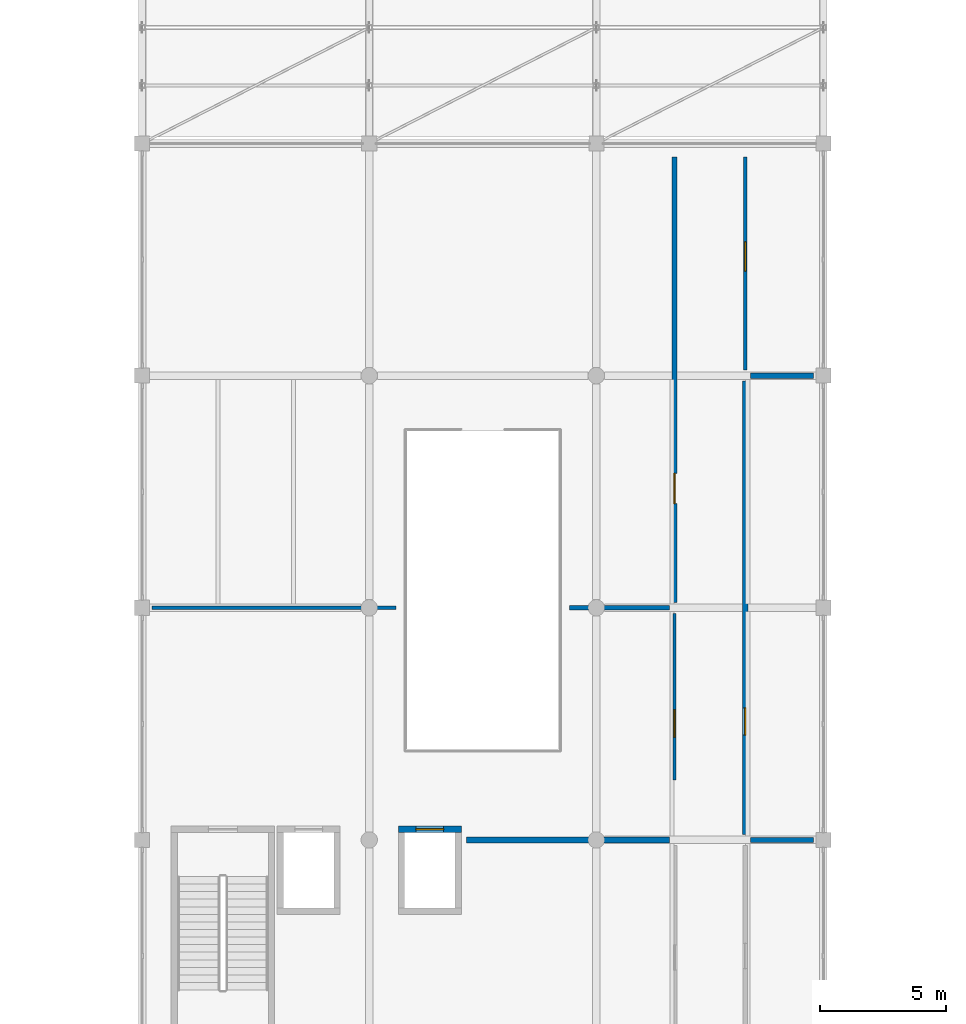
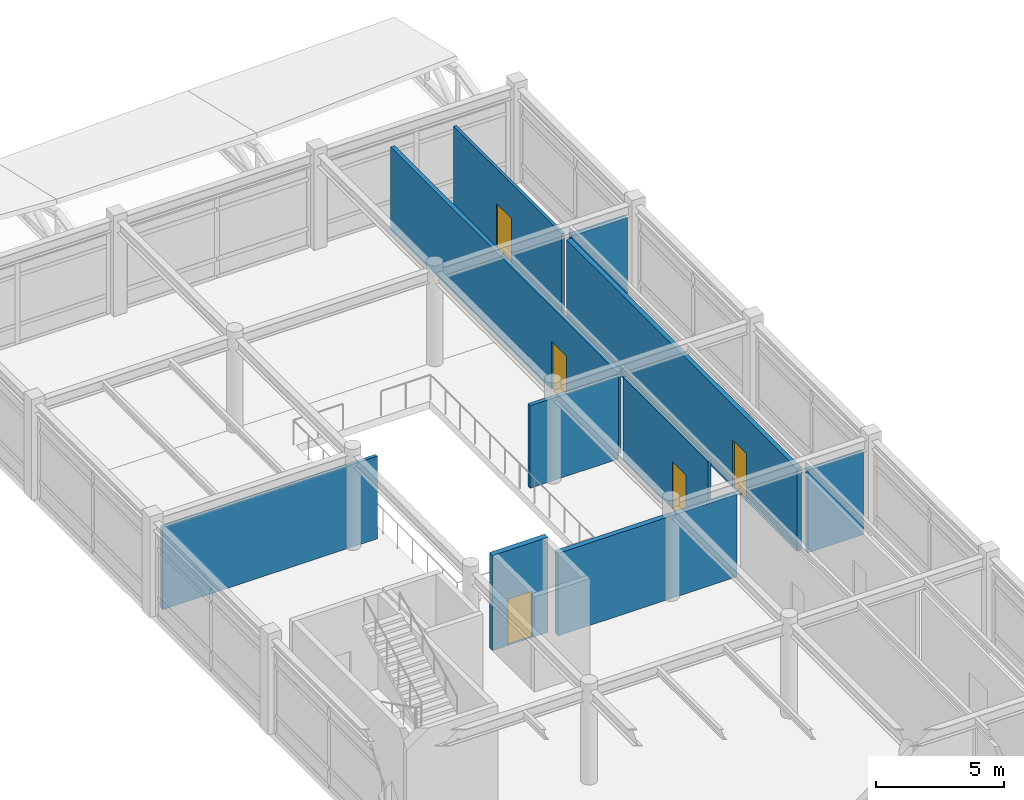
# One storey, part 48 of 61: 10 walls, 5 doors, 5 openings.
"""IFC4 building model written with IfcOpenShell, lengths in metres."""

from ifc_helpers import new_model, si_unit, direction, frame, frame_2d, origin, place, context, subcontext, project, spatial, rectangle, extrude, material, layer, layer_set, type_object, element, fill, save


model = new_model("IFC4")

# Units and contexts
model_context = context("Model", 3, precision=1e-05, world=origin(), true_north=direction((0.0, 1.0)))
body_context = subcontext(model_context, "Body", "Model", "MODEL_VIEW")
ifc_project = project(units=[si_unit("LENGTHUNIT", "METRE"), si_unit("AREAUNIT", "SQUARE_METRE"), si_unit("VOLUMEUNIT", "CUBIC_METRE"), si_unit("PLANEANGLEUNIT", "RADIAN"), si_unit("MASSUNIT", "GRAM", prefix="KILO")], contexts=[model_context])

# Site, building, storey
site_placement = place(None, origin())
site = spatial("IfcSite", under=ifc_project, at=site_placement, CompositionType="ELEMENT")
building_placement = place(site_placement, origin())
building = spatial("IfcBuilding", under=site, at=building_placement, Name="Bozkorgan Art Gallery", CompositionType="ELEMENT")
storey_placement = place(building_placement, frame((0.0, 0.0, 10.199951171875)))
storey = spatial("IfcBuildingStorey", under=building, at=storey_placement, Name="L02", CompositionType="ELEMENT", Elevation=10.199951171875)

# Wall, opening, door
ifc_material_1 = material(Name="Concrete C40/50", Category="concrete")
ifc_layer_1 = layer(ifc_material_1, 0.25, Name="Concrete C40/50")
ifc_layer_set_1 = layer_set([ifc_layer_1], Name="Concrete C40/50")
wall_type_1 = type_object("IfcWallType", Name="IWALL-CW-51", PredefinedType="SHEAR", material=ifc_layer_set_1)
wall_1_placement = place(storey_placement, frame((84.14990234375, 66.425048828125, 0.0), z_axis=(0.0, 0.0, 1.0), x_axis=(1.0, 0.0, 0.0)))
wall_1 = element("IfcWall", 1, at=wall_1_placement, inside=storey, type_object=wall_type_1, Name="PL3 L02 shaft front shear wall", PredefinedType="SHEAR", context=body_context, shape_type="SweptSolid", body=[
    extrude(rectangle(XDim=2.5, YDim=0.25, at=frame_2d((1.25, 0.0))), origin(), (0.0, 0.0, 1.0), 4.52001953125),
])
opening_1_placement = place(wall_1_placement, frame((0.699951171875, 0.0, 0.0)))
opening_1 = element("IfcOpeningElement", 2, at=opening_1_placement, cuts=wall_1, Name="Opening LD-75", PredefinedType="OPENING", context=body_context, shape_type="SweptSolid", body=[
    extrude(rectangle(XDim=1.10009765625, YDim=2.199951171875, at=frame_2d((0.550048828125, 1.10009765625))), frame((0.0, 0.135009765625, 0.0), z_axis=(0.0, -1.0, 0.0), x_axis=(1.0, 0.0, 0.0)), (0.0, 0.0, 1.0), 0.27001953125),
])
ifc_material_2 = material(Name="Steel S355J2", Category="steel")
door_type_1 = type_object("IfcDoorType", Name="IDOOR-LD-75", OperationType="NOTDEFINED", PredefinedType="DOOR", material=ifc_material_2)
door_1_placement = place(opening_1_placement, origin())
door_1 = element("IfcDoor", 3, at=door_1_placement, inside=storey, type_object=door_type_1, Name="LD-PL3-L02 Lift Landing Door", OperationType="SLIDING_TO_RIGHT", OverallHeight=2.199951171875, OverallWidth=1.10009765625, PredefinedType="DOOR", context=body_context, shape_type="SweptSolid", body=[
    extrude(rectangle(XDim=1.10009765625, YDim=2.199951171875, at=frame_2d((0.550048828125, 1.10009765625))), frame((0.0, 0.02490234375, 0.0), z_axis=(0.0, -1.0, 0.0), x_axis=(1.0, 0.0, 0.0)), (0.0, 0.0, 1.0), 0.050048828125),
])
fill(opening_1, door_1)

ifc_material_3 = material(Name="Acoustic Gypsum & Mineral Wool Partition")
ifc_layer_2 = layer(ifc_material_3, 0.2099609375, Name="Acoustic Gypsum & Mineral Wool Partition")
ifc_layer_set_2 = layer_set([ifc_layer_2], Name="Acoustic Gypsum & Mineral Wool Partition")
wall_type_2 = type_object("IfcWallType", Name="IWALL-PR-38", PredefinedType="PARTITIONING", material=ifc_layer_set_2)
wall_2_placement = place(storey_placement, frame((97.89990234375, 66.219970703125, 0.0), z_axis=(0.0, 0.0, 1.0), x_axis=(0.0, 1.0, 0.0)))
wall_2 = element("IfcWall", 4, at=wall_2_placement, inside=storey, type_object=wall_type_2, Name="V4 L02 acoustic partition wall 244", PredefinedType="PARTITIONING", context=body_context, shape_type="SweptSolid", body=[
    extrude(rectangle(XDim=17.9599609375, YDim=0.2099609375, at=frame_2d((8.97998046875, 0.0))), origin(), (0.0, 0.0, 1.0), 3.925048828125),
])
opening_2_placement = place(wall_2_placement, frame((3.935546875, 0.0, 0.0)))
opening_2 = element("IfcOpeningElement", 5, at=opening_2_placement, cuts=wall_2, Name="Opening FD-44", PredefinedType="OPENING", context=body_context, shape_type="SweptSolid", body=[
    extrude(rectangle(XDim=1.080078125, YDim=2.239990234375, at=frame_2d((0.5400390625, 1.1201171875))), frame((0.0, 0.114990234375, 0.0), z_axis=(0.0, -1.0, 0.0), x_axis=(1.0, 0.0, 0.0)), (0.0, 0.0, 1.0), 0.22998046875),
])
ifc_material_4 = material(Name="Oiled European Oak Joinery")
door_type_2 = type_object("IfcDoorType", Name="IDOOR-FD-44", OperationType="NOTDEFINED", PredefinedType="DOOR", material=ifc_material_4)
door_2_placement = place(opening_2_placement, origin())
door_2 = element("IfcDoor", 6, at=door_2_placement, inside=storey, type_object=door_type_2, Name="Patron Members' Lounge Door", OperationType="SINGLE_SWING_RIGHT", OverallHeight=2.239990234375, OverallWidth=1.080078125, PredefinedType="DOOR", context=body_context, shape_type="SweptSolid", body=[
    extrude(rectangle(XDim=1.080078125, YDim=2.239990234375, at=frame_2d((0.5400390625, 1.1201171875))), frame((0.0, 0.02490234375, 0.0), z_axis=(0.0, -1.0, 0.0), x_axis=(1.0, 0.0, 0.0)), (0.0, 0.0, 1.0), 0.050048828125),
])
fill(opening_2, door_2)

ifc_layer_3 = layer(ifc_material_3, 0.18994140625, Name="Acoustic Gypsum & Mineral Wool Partition")
ifc_layer_set_3 = layer_set([ifc_layer_3], Name="Acoustic Gypsum & Mineral Wool Partition")
wall_type_3 = type_object("IfcWallType", Name="IWALL-PR-66", PredefinedType="PARTITIONING", material=ifc_layer_set_3)
wall_3_placement = place(storey_placement, frame((95.10009765625, 75.419921875, 0.0), z_axis=(0.0, 0.0, 1.0), x_axis=(0.0, 1.0, 0.0)))
wall_3 = element("IfcWall", 7, at=wall_3_placement, inside=storey, type_object=wall_type_3, Name="V4 L02 acoustic partition wall 237", PredefinedType="PARTITIONING", context=body_context, shape_type="SweptSolid", body=[
    extrude(rectangle(XDim=17.64013671875, YDim=0.18994140625, at=frame_2d((8.820068359375, 0.0))), origin(), (0.0, 0.0, 1.0), 3.925048828125),
])
opening_3_placement = place(wall_3_placement, frame((5.10888671875, 0.0, 0.0), z_axis=(0.0, 0.0, 1.0), x_axis=(-1.0, 0.0, 0.0)))
opening_3 = element("IfcOpeningElement", 8, at=opening_3_placement, cuts=wall_3, Name="Opening FD-05", PredefinedType="OPENING", context=body_context, shape_type="SweptSolid", body=[
    extrude(rectangle(XDim=1.199951171875, YDim=2.300048828125, at=frame_2d((0.60009765625, 1.14990234375))), frame((0.0, 0.10498046875, 0.0), z_axis=(0.0, -1.0, 0.0), x_axis=(1.0, 0.0, 0.0)), (0.0, 0.0, 1.0), 0.2099609375),
])
door_type_3 = type_object("IfcDoorType", Name="IDOOR-FD-05", OperationType="NOTDEFINED", PredefinedType="DOOR", material=ifc_material_4)
door_3_placement = place(opening_3_placement, origin())
door_3 = element("IfcDoor", 9, at=door_3_placement, inside=storey, type_object=door_type_3, Name="Exhibition Graphics Workshop Door", OperationType="SINGLE_SWING_RIGHT", OverallHeight=2.300048828125, OverallWidth=1.199951171875, PredefinedType="DOOR", context=body_context, shape_type="SweptSolid", body=[
    extrude(rectangle(XDim=1.199951171875, YDim=2.300048828125, at=frame_2d((0.60009765625, 1.14990234375))), frame((0.0, 0.02490234375, 0.0), z_axis=(0.0, -1.0, 0.0), x_axis=(1.0, 0.0, 0.0)), (0.0, 0.0, 1.0), 0.050048828125),
])
fill(opening_3, door_3)

ifc_layer_4 = layer(ifc_material_3, 0.1298828125, Name="Acoustic Gypsum & Mineral Wool Partition")
ifc_layer_set_4 = layer_set([ifc_layer_4], Name="Acoustic Gypsum & Mineral Wool Partition")
wall_type_4 = type_object("IfcWallType", Name="IWALL-PR-76", PredefinedType="PARTITIONING", material=ifc_layer_set_4)
wall_4_placement = place(storey_placement, frame((95.10009765625, 68.3701171875, 0.0), z_axis=(0.0, 0.0, 1.0), x_axis=(0.0, 1.0, 0.0)))
wall_4 = element("IfcWall", 10, at=wall_4_placement, inside=storey, type_object=wall_type_4, Name="V4 L02 acoustic partition wall 234", PredefinedType="PARTITIONING", context=body_context, shape_type="SweptSolid", body=[
    extrude(rectangle(XDim=6.60986328125, YDim=0.1298828125, at=frame_2d((3.304931640625, 0.0))), origin(), (0.0, 0.0, 1.0), 3.925048828125),
])
opening_4_placement = place(wall_4_placement, frame((2.782958984375, 0.0, 0.0), z_axis=(0.0, 0.0, 1.0), x_axis=(-1.0, 0.0, 0.0)))
opening_4 = element("IfcOpeningElement", 11, at=opening_4_placement, cuts=wall_4, Name="Opening FD-44", PredefinedType="OPENING", context=body_context, shape_type="SweptSolid", body=[
    extrude(rectangle(XDim=1.080078125, YDim=2.239990234375, at=frame_2d((0.5400390625, 1.1201171875))), frame((0.0, 0.074951171875, 0.0), z_axis=(0.0, -1.0, 0.0), x_axis=(1.0, 0.0, 0.0)), (0.0, 0.0, 1.0), 0.14990234375),
])
door_4_placement = place(opening_4_placement, origin())
door_4 = element("IfcDoor", 12, at=door_4_placement, inside=storey, type_object=door_type_2, Name="Patron Members' Lounge Door", OperationType="SINGLE_SWING_LEFT", OverallHeight=2.239990234375, OverallWidth=1.080078125, PredefinedType="DOOR", context=body_context, shape_type="SweptSolid", body=[
    extrude(rectangle(XDim=1.080078125, YDim=2.239990234375, at=frame_2d((0.5400390625, 1.1201171875))), frame((0.0, 0.02490234375, 0.0), z_axis=(0.0, -1.0, 0.0), x_axis=(1.0, 0.0, 0.0)), (0.0, 0.0, 1.0), 0.050048828125),
])
fill(opening_4, door_4)

wall_5_placement = place(storey_placement, frame((97.89990234375, 84.6201171875, 0.0), z_axis=(0.0, 0.0, 1.0), x_axis=(0.0, 1.0, 0.0)))
wall_5 = element("IfcWall", 13, at=wall_5_placement, inside=storey, type_object=wall_type_4, Name="V4 L02 acoustic partition wall 246", PredefinedType="PARTITIONING", context=body_context, shape_type="SweptSolid", body=[
    extrude(rectangle(XDim=8.43994140625, YDim=0.1298828125, at=frame_2d((4.219970703125, 0.0))), origin(), (0.0, 0.0, 1.0), 3.925048828125),
])
opening_5_placement = place(wall_5_placement, frame((3.921142578125, 0.0, 0.0)))
opening_5 = element("IfcOpeningElement", 14, at=opening_5_placement, cuts=wall_5, Name="Opening FD-03", PredefinedType="OPENING", context=body_context, shape_type="SweptSolid", body=[
    extrude(rectangle(XDim=1.159912109375, YDim=2.280029296875, at=frame_2d((0.580078125, 1.14013671875))), frame((0.0, 0.074951171875, 0.0), z_axis=(0.0, -1.0, 0.0), x_axis=(1.0, 0.0, 0.0)), (0.0, 0.0, 1.0), 0.14990234375),
])
door_type_4 = type_object("IfcDoorType", Name="IDOOR-FD-03", OperationType="NOTDEFINED", PredefinedType="DOOR", material=ifc_material_4)
door_5_placement = place(opening_5_placement, origin())
door_5 = element("IfcDoor", 15, at=door_5_placement, inside=storey, type_object=door_type_4, Name="Exhibition Graphics Workshop Door", OperationType="SINGLE_SWING_LEFT", OverallHeight=2.280029296875, OverallWidth=1.159912109375, PredefinedType="DOOR", context=body_context, shape_type="SweptSolid", body=[
    extrude(rectangle(XDim=1.159912109375, YDim=2.280029296875, at=frame_2d((0.580078125, 1.14013671875))), frame((0.0, 0.02490234375, 0.0), z_axis=(0.0, -1.0, 0.0), x_axis=(1.0, 0.0, 0.0)), (0.0, 0.0, 1.0), 0.050048828125),
])
fill(opening_5, door_5)

# Walls
ifc_layer_5 = layer(ifc_material_3, 0.169921875, Name="Acoustic Gypsum & Mineral Wool Partition")
ifc_layer_set_5 = layer_set([ifc_layer_5], Name="Acoustic Gypsum & Mineral Wool Partition")
wall_type_5 = type_object("IfcWallType", Name="IWALL-PW-02", PredefinedType="PARTITIONING", material=ifc_layer_set_5)
wall_6_placement = place(storey_placement, frame((90.929931640625, 75.199951171875, 0.0), z_axis=(0.0, 0.0, 1.0), x_axis=(1.0, 0.0, 0.0)))
element("IfcWall", 16, at=wall_6_placement, inside=storey, type_object=wall_type_5, Name="V4 L02 acoustic partition wall 236", PredefinedType="PARTITIONING", context=body_context, shape_type="SweptSolid", body=[
    extrude(rectangle(XDim=3.969970703125, YDim=0.169921875, at=frame_2d((1.98486328125, 0.0))), origin(), (0.0, 0.0, 1.0), 3.925048828125),
])
ifc_layer_6 = layer(ifc_material_3, 0.14990234375, Name="Acoustic Gypsum & Mineral Wool Partition")
ifc_layer_set_6 = layer_set([ifc_layer_6], Name="Acoustic Gypsum & Mineral Wool Partition")
wall_type_6 = type_object("IfcWallType", Name="IWALL-PW-17", PredefinedType="PARTITIONING", material=ifc_layer_set_6)
wall_7_placement = place(storey_placement, frame((74.39990234375, 75.199951171875, 0.0), z_axis=(0.0, 0.0, 1.0), x_axis=(1.0, 0.0, 0.0)))
element("IfcWall", 17, at=wall_7_placement, inside=storey, type_object=wall_type_6, Name="V4 L02 acoustic partition wall 235", PredefinedType="PARTITIONING", context=body_context, shape_type="SweptSolid", body=[
    extrude(rectangle(XDim=9.670166015625, YDim=0.14990234375, at=frame_2d((4.8349609375, 0.0))), origin(), (0.0, 0.0, 1.0), 3.925048828125),
])
ifc_layer_7 = layer(ifc_material_3, 0.18994140625, Name="Acoustic Gypsum & Mineral Wool Partition")
ifc_layer_set_7 = layer_set([ifc_layer_7], Name="Acoustic Gypsum & Mineral Wool Partition")
wall_type_7 = type_object("IfcWallType", Name="IWALL-PW-23", PredefinedType="PARTITIONING", material=ifc_layer_set_7)
wall_8_placement = place(storey_placement, frame((98.10009765625, 66.0, 0.0), z_axis=(0.0, 0.0, 1.0), x_axis=(1.0, 0.0, 0.0)))
element("IfcWall", 18, at=wall_8_placement, inside=storey, type_object=wall_type_7, Name="V4 L02 acoustic partition wall 243", PredefinedType="PARTITIONING", context=body_context, shape_type="SweptSolid", body=[
    extrude(rectangle(XDim=2.5, YDim=0.18994140625, at=frame_2d((1.25, 0.0))), origin(), (0.0, 0.0, 1.0), 3.925048828125),
])
ifc_layer_8 = layer(ifc_material_3, 0.22998046875, Name="Acoustic Gypsum & Mineral Wool Partition")
ifc_layer_set_8 = layer_set([ifc_layer_8], Name="Acoustic Gypsum & Mineral Wool Partition")
wall_type_8 = type_object("IfcWallType", Name="IWALL-PW-96", PredefinedType="PARTITIONING", material=ifc_layer_set_8)
wall_9_placement = place(storey_placement, frame((86.860107421875, 66.0, 0.0), z_axis=(0.0, 0.0, 1.0), x_axis=(1.0, 0.0, 0.0)))
element("IfcWall", 19, at=wall_9_placement, inside=storey, type_object=wall_type_8, Name="V4 L02 acoustic partition wall 233", PredefinedType="PARTITIONING", context=body_context, shape_type="SweptSolid", body=[
    extrude(rectangle(XDim=8.039794921875, YDim=0.22998046875, at=frame_2d((4.02001953125, 0.0))), origin(), (0.0, 0.0, 1.0), 3.925048828125),
])
wall_10_placement = place(storey_placement, frame((98.10009765625, 84.39990234375, 0.0), z_axis=(0.0, 0.0, 1.0), x_axis=(1.0, 0.0, 0.0)))
element("IfcWall", 20, at=wall_10_placement, inside=storey, type_object=wall_type_8, Name="V4 L02 acoustic partition wall 245", PredefinedType="PARTITIONING", context=body_context, shape_type="SweptSolid", body=[
    extrude(rectangle(XDim=2.5, YDim=0.22998046875, at=frame_2d((1.25, 0.0))), origin(), (0.0, 0.0, 1.0), 3.925048828125),
])

save(model, "model.ifc")
